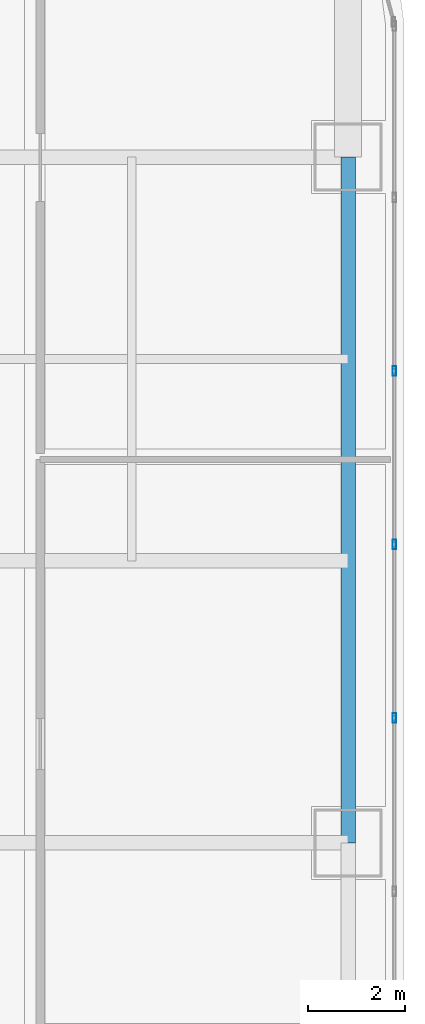
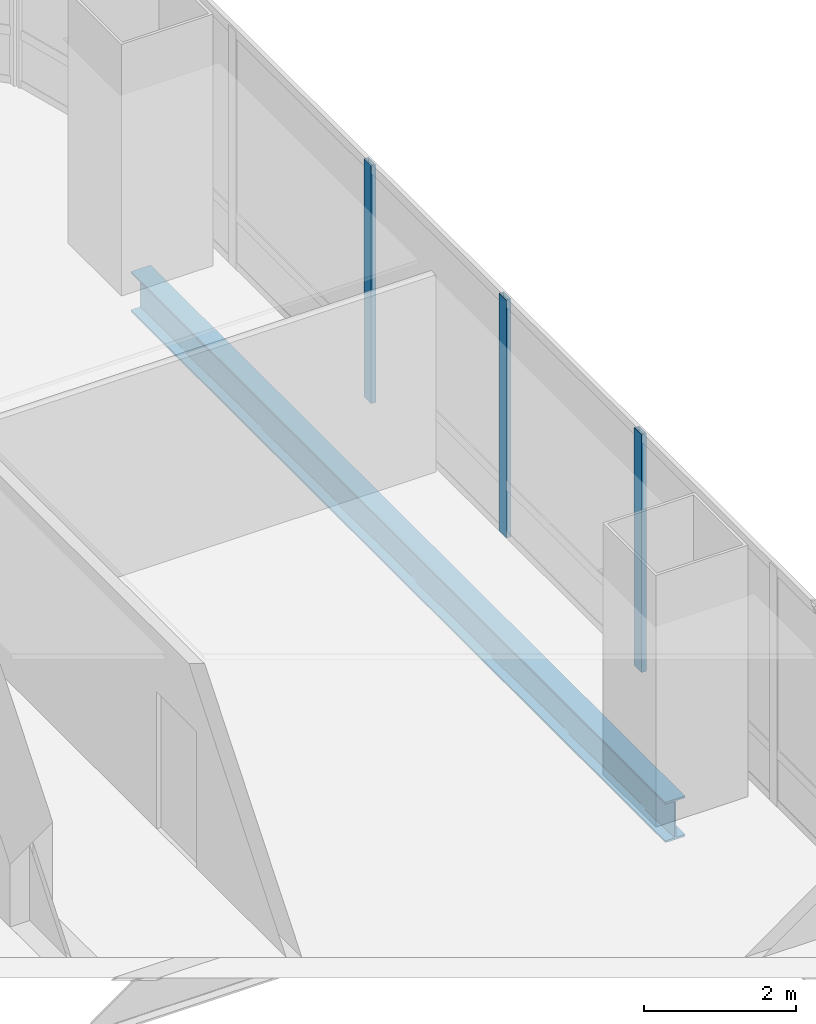
# One storey, part 18 of 38: 3 members, 1 beam, 1 element without a shape of its own.
"""IFC4 building model written with IfcOpenShell, lengths in metres."""

from ifc_helpers import new_model, si_unit, direction, frame, origin, origin_2d, place, context, subcontext, project, spatial, hollow_rectangle, i_section, extrude, material, material_profile, profile_set, type_object, element, aggregate, save


model = new_model("IFC4")

# Units and contexts
model_context = context("Model", 3, precision=1e-05, world=origin(), true_north=direction((0.0, 1.0)))
body_context = subcontext(model_context, "Body", "Model", "MODEL_VIEW")
ifc_project = project(units=[si_unit("LENGTHUNIT", "METRE"), si_unit("AREAUNIT", "SQUARE_METRE"), si_unit("VOLUMEUNIT", "CUBIC_METRE"), si_unit("PLANEANGLEUNIT", "RADIAN"), si_unit("MASSUNIT", "GRAM", prefix="KILO")], contexts=[model_context])

# Site, building, storey
site_placement = place(None, origin())
site = spatial("IfcSite", under=ifc_project, at=site_placement, CompositionType="ELEMENT")
building_placement = place(site_placement, origin())
building = spatial("IfcBuilding", under=site, at=building_placement, Name="Punatoya Terracotta Tower", CompositionType="ELEMENT")
storey_placement = place(building_placement, frame((0.0, 0.0, 160.050048828125)))
storey = spatial("IfcBuildingStorey", under=building, at=storey_placement, Name="L37", CompositionType="ELEMENT", Elevation=160.050048828125)

# Beam
ifc_material_1 = material(Name="Steel S355", Category="steel")
ifc_material_profile_1 = material_profile(ifc_material_1, i_section(OverallWidth=0.300048828125, OverallDepth=0.64990234375, WebThickness=0.01611328125, FlangeThickness=0.031005859375, FilletRadius=0.01806640625, at=origin_2d()))
ifc_profile_set_1 = profile_set([ifc_material_profile_1], Name="Steel S355")
beam_type = type_object("IfcBeamType", Name="BM-PRI-650", PredefinedType="BEAM", material=ifc_profile_set_1)
beam_placement = place(storey_placement, frame((19.10009765625, 3.39990234375, -0.545166015625), z_axis=(0.0, 1.0, 0.0), x_axis=(-1.0, 0.0, 0.0)))
element("IfcBeam", 1, at=beam_placement, inside=storey, type_object=beam_type, Name="BM-L37-RG-E3", PredefinedType="BEAM", context=body_context, shape_type="SweptSolid", body=[
    extrude(i_section(OverallWidth=0.300048828125, OverallDepth=0.64990234375, WebThickness=0.01611328125, FlangeThickness=0.031005859375, FilletRadius=0.01806640625, at=origin_2d()), origin(), (0.0, 0.0, 1.0), 14.10009765625),
])

# Curtain wall, members
ifc_material_2 = material(Name="Aluminium 6063-T6 + Double Low-E Glass", Category="aluminium")
curtain_wall_type = type_object("IfcCurtainWallType", Name="CW-M2", PredefinedType="NOTDEFINED", material=ifc_material_2)
curtain_wall_placement = place(storey_placement, origin())
curtain_wall = element("IfcCurtainWall", 2, at=curtain_wall_placement, inside=storey, type_object=curtain_wall_type, Name="L37 Curtain Wall CW-L37-E05-1", PredefinedType="NOTDEFINED")
ifc_material_3 = material(Name="Aluminium 6063-T6", Category="aluminium")
ifc_material_profile_2 = material_profile(ifc_material_3, hollow_rectangle(XDim=0.072021484375, YDim=0.195068359375, WallThickness=0.00439453125, at=origin_2d()))
ifc_profile_set_2 = profile_set([ifc_material_profile_2], Name="Aluminium 6063-T6")
member_type = type_object("IfcMemberType", Name="CW-MUL-M2", PredefinedType="MULLION", material=ifc_profile_set_2)
member_1_placement = place(storey_placement, frame((20.050048828125, 5.96728515625, 0.0), z_axis=(0.0, 0.0, 1.0), x_axis=(1.0, 0.0, 0.0)))
member_1 = element("IfcMember", 3, at=member_1_placement, type_object=member_type, Name="CW-L37-E05-1 Mullion 06", PredefinedType="MULLION", context=body_context, shape_type="SweptSolid", body=[
    extrude(hollow_rectangle(XDim=0.072021484375, YDim=0.195068359375, WallThickness=0.00439453125, at=origin_2d()), origin(), (0.0, 0.0, 1.0), 3.829833984375),
])
member_2_placement = place(storey_placement, frame((20.050048828125, 9.534912109375, 0.0), z_axis=(0.0, 0.0, 1.0), x_axis=(1.0, 0.0, 0.0)))
member_2 = element("IfcMember", 4, at=member_2_placement, type_object=member_type, Name="CW-L37-E05-1 Mullion 07", PredefinedType="MULLION", context=body_context, shape_type="SweptSolid", body=[
    extrude(hollow_rectangle(XDim=0.072021484375, YDim=0.195068359375, WallThickness=0.00439453125, at=origin_2d()), origin(), (0.0, 0.0, 1.0), 3.829833984375),
])
member_3_placement = place(storey_placement, frame((20.050048828125, 13.10205078125, 0.0), z_axis=(0.0, 0.0, 1.0), x_axis=(1.0, 0.0, 0.0)))
member_3 = element("IfcMember", 5, at=member_3_placement, type_object=member_type, Name="CW-L37-E05-1 Mullion 08", PredefinedType="MULLION", context=body_context, shape_type="SweptSolid", body=[
    extrude(hollow_rectangle(XDim=0.072021484375, YDim=0.195068359375, WallThickness=0.00439453125, at=origin_2d()), origin(), (0.0, 0.0, 1.0), 3.829833984375),
])
aggregate(curtain_wall, [member_1, member_2, member_3])

save(model, "model.ifc")
